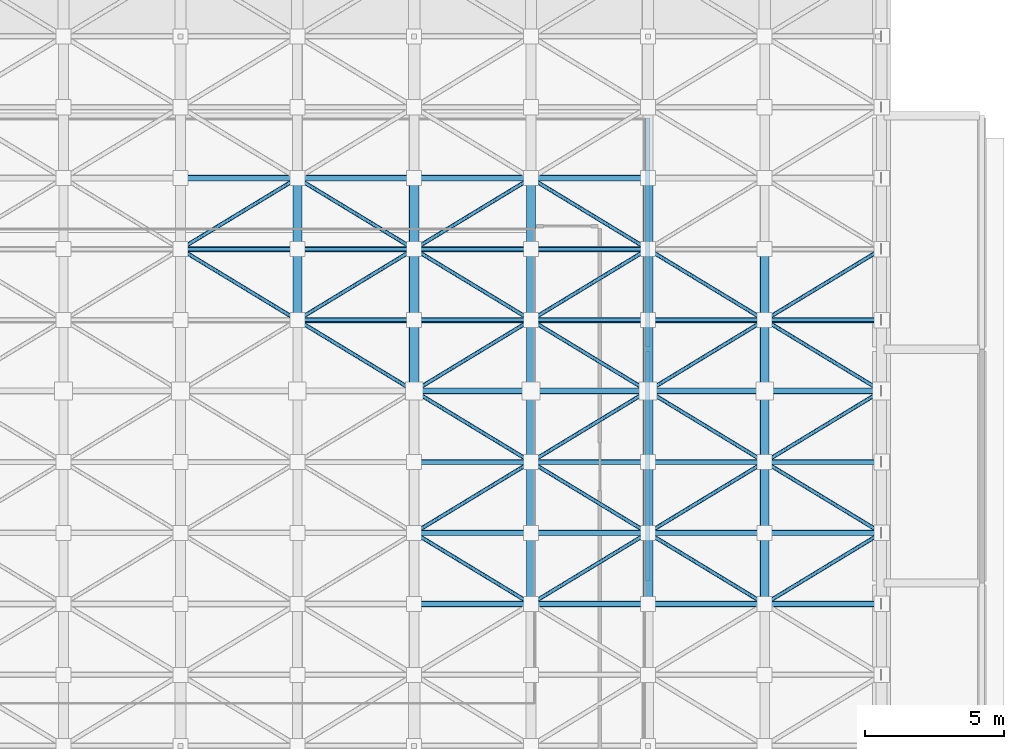
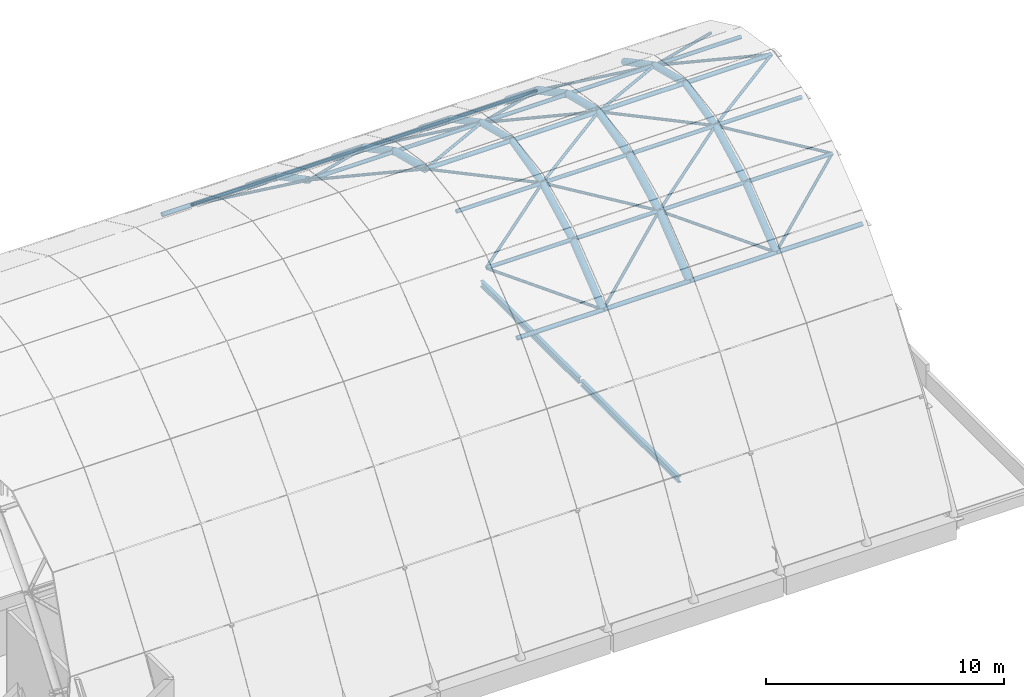
# One storey, part 35 of 128: 69 members, 11 beams.
"""IFC4 building model written with IfcOpenShell, lengths in metres."""

from ifc_helpers import new_model, si_unit, direction, frame, origin, origin_2d, place, context, subcontext, project, spatial, hollow_circle, i_section, extrude, material, material_profile, profile_set, type_object, element, save


model = new_model("IFC4")

# Units and contexts
model_context = context("Model", 3, precision=1e-05, world=origin(), true_north=direction((0.0, 1.0)))
body_context = subcontext(model_context, "Body", "Model", "MODEL_VIEW")
ifc_project = project(units=[si_unit("LENGTHUNIT", "METRE"), si_unit("AREAUNIT", "SQUARE_METRE"), si_unit("VOLUMEUNIT", "CUBIC_METRE"), si_unit("PLANEANGLEUNIT", "RADIAN"), si_unit("MASSUNIT", "GRAM", prefix="KILO")], contexts=[model_context])

# Site, building, storey
site_placement = place(None, origin())
site = spatial("IfcSite", under=ifc_project, at=site_placement, CompositionType="ELEMENT")
building_placement = place(site_placement, origin())
building = spatial("IfcBuilding", under=site, at=building_placement, Name="Telukmera Botanical Conservatory", CompositionType="ELEMENT")
storey_placement = place(building_placement, frame((0.0, 0.0, 5.39990234375)))
storey = spatial("IfcBuildingStorey", under=building, at=storey_placement, Name="L01", CompositionType="ELEMENT", Elevation=5.39990234375)

# Beams
ifc_material = material(Name="Steel S355", Category="steel")
ifc_material_profile_1 = material_profile(ifc_material, hollow_circle(Radius=0.177734375, WallThickness=0.012451171875, at=origin_2d()), Name="CHS 355.6x12.5")
ifc_profile_set_1 = profile_set([ifc_material_profile_1], Name="Steel S355")
beam_type_1 = type_object("IfcBeamType", Name="Beam_GA2", PredefinedType="BEAM", material=ifc_profile_set_1)
beam_1_placement = place(storey_placement, frame((151.199951171875, 32.91943359375, 14.395263671875), z_axis=(0.0, 0.969596662505, -0.244708626858), x_axis=(-1.0, 0.0, 0.0)))
element("IfcBeam", 1, at=beam_1_placement, inside=storey, type_object=beam_type_1, Name="Conservatory Gridshell Primary Arch Rib A08-06", PredefinedType="BEAM", context=body_context, shape_type="SweptSolid", body=[
    extrude(hollow_circle(Radius=0.177734375, WallThickness=0.012451171875, at=origin_2d()), origin(), (0.0, 0.0, 1.0), 2.590087890625),
])
beam_2_placement = place(storey_placement, frame((151.199951171875, 35.4677734375, 13.7470703125), z_axis=(0.0, 0.883608393745, -0.468226661462), x_axis=(-1.0, 0.0, 0.0)))
element("IfcBeam", 2, at=beam_2_placement, inside=storey, type_object=beam_type_1, Name="Conservatory Gridshell Primary Arch Rib A08-07", PredefinedType="BEAM", context=body_context, shape_type="SweptSolid", body=[
    extrude(hollow_circle(Radius=0.177734375, WallThickness=0.012451171875, at=origin_2d()), origin(), (0.0, 0.0, 1.0), 2.845947265625),
])
for number, where, z_axis, x_axis, name in (
    (3, (151.199951171875, 38.015625, 12.392578125), (0.0, 0.77797662105, -0.628293225413), (-1.0, 0.0, 0.0), "Conservatory Gridshell Primary Arch Rib A08-08"),
    (4, (159.60009765625, 25.265625, 10.3583984375), (0.0, 0.77797662105, 0.628293225413), (-1.0, 0.0, 0.0), "Conservatory Gridshell Primary Arch Rib A10-03"),
):
    element("IfcBeam", number, at=place(storey_placement, frame(where, z_axis=z_axis, x_axis=x_axis)), inside=storey, type_object=beam_type_1, Name=name, PredefinedType="BEAM", context=body_context, shape_type="SweptSolid", body=[
        extrude(hollow_circle(Radius=0.177734375, WallThickness=0.012451171875, at=origin_2d()), origin(), (0.0, 0.0, 1.0), 3.237548828125),
    ])
beam_3_placement = place(storey_placement, frame((159.60009765625, 27.817626953125, 12.41455078125), z_axis=(0.0, 0.883608393745, 0.468226661462), x_axis=(-1.0, 0.0, 0.0)))
element("IfcBeam", 5, at=beam_3_placement, inside=storey, type_object=beam_type_1, Name="Conservatory Gridshell Primary Arch Rib A10-04", PredefinedType="BEAM", context=body_context, shape_type="SweptSolid", body=[
    extrude(hollow_circle(Radius=0.177734375, WallThickness=0.012451171875, at=origin_2d()), origin(), (0.0, 0.0, 1.0), 2.845947265625),
])
for number, where, z_axis, x_axis, name in (
    (6, (159.60009765625, 30.369384765625, 13.761474609375), (0.0, 0.969596662505, 0.244708626858), (-1.0, 0.0, 0.0), "Conservatory Gridshell Primary Arch Rib A10-05"),
    (7, (159.60009765625, 32.91943359375, 14.395263671875), (0.0, 0.969596662505, -0.244708626858), (-1.0, 0.0, 0.0), "Conservatory Gridshell Primary Arch Rib A10-06"),
):
    element("IfcBeam", number, at=place(storey_placement, frame(where, z_axis=z_axis, x_axis=x_axis)), inside=storey, type_object=beam_type_1, Name=name, PredefinedType="BEAM", context=body_context, shape_type="SweptSolid", body=[
        extrude(hollow_circle(Radius=0.177734375, WallThickness=0.012451171875, at=origin_2d()), origin(), (0.0, 0.0, 1.0), 2.590087890625),
    ])
beam_4_placement = place(storey_placement, frame((159.60009765625, 35.4677734375, 13.7470703125), z_axis=(0.0, 0.883608393745, -0.468226661462), x_axis=(-1.0, 0.0, 0.0)))
element("IfcBeam", 8, at=beam_4_placement, inside=storey, type_object=beam_type_1, Name="Conservatory Gridshell Primary Arch Rib A10-07", PredefinedType="BEAM", context=body_context, shape_type="SweptSolid", body=[
    extrude(hollow_circle(Radius=0.177734375, WallThickness=0.012451171875, at=origin_2d()), origin(), (0.0, 0.0, 1.0), 2.845947265625),
])
beam_5_placement = place(storey_placement, frame((159.60009765625, 38.015625, 12.392578125), z_axis=(0.0, 0.77797662105, -0.628293225413), x_axis=(-1.0, 0.0, 0.0)))
element("IfcBeam", 9, at=beam_5_placement, inside=storey, type_object=beam_type_1, Name="Conservatory Gridshell Primary Arch Rib A10-08", PredefinedType="BEAM", context=body_context, shape_type="SweptSolid", body=[
    extrude(hollow_circle(Radius=0.177734375, WallThickness=0.012451171875, at=origin_2d()), origin(), (0.0, 0.0, 1.0), 3.237548828125),
])
ifc_material_profile_2 = material_profile(ifc_material, i_section(OverallWidth=0.165771484375, OverallDepth=0.306640625, WebThickness=0.006591796875, FlangeThickness=0.01171875, FilletRadius=0.0087890625, at=origin_2d()), Name="UB 305x165x46")
ifc_profile_set_2 = profile_set([ifc_material_profile_2], Name="Steel S355")
beam_type_2 = type_object("IfcBeamType", Name="Beam_SB6", PredefinedType="JOIST", material=ifc_profile_set_2)
for number, where, z_axis, x_axis, name in (
    (10, (159.60009765625, 26.080078125, -0.353271484375), (0.0, 1.0, 0.0), (-1.0, 0.0, 0.0), "Conservatory Skywalk Bridge Beam"),
    (11, (159.60009765625, 34.47998046875, -0.353271484375), (0.0, 1.0, 0.0), (-1.0, 0.0, 0.0), "Conservatory Skywalk Bridge Beam"),
):
    element("IfcBeam", number, at=place(storey_placement, frame(where, z_axis=z_axis, x_axis=x_axis)), inside=storey, type_object=beam_type_2, Name=name, PredefinedType="JOIST", context=body_context, shape_type="SweptSolid", body=[
        extrude(i_section(OverallWidth=0.165771484375, OverallDepth=0.306640625, WebThickness=0.006591796875, FlangeThickness=0.01171875, FilletRadius=0.0087890625, at=origin_2d()), origin(), (0.0, 0.0, 1.0), 8.239990234375),
    ])

# Members
ifc_material_profile_3 = material_profile(ifc_material, hollow_circle(Radius=0.06982421875, WallThickness=0.00634765625, at=origin_2d()), Name="CHS 139.7x6.3")
ifc_profile_set_3 = profile_set([ifc_material_profile_3], Name="Steel S355")
member_type_1 = type_object("IfcMemberType", Name="Mem_GBX2", PredefinedType="USERDEFINED", material=ifc_profile_set_3)
member_1_placement = place(storey_placement, frame((146.987548828125, 35.45751953125, 13.75244140625), z_axis=(-0.824182486076, 0.50040855815, -0.265168822782), x_axis=(-0.51898726462, -0.854781971711, 0.0)))
element("IfcMember", 12, at=member_1_placement, inside=storey, type_object=member_type_1, Name="Conservatory Gridshell Diagrid Lacing Rib D06-07", ObjectType="GRIDSHELL_RIB", PredefinedType="USERDEFINED", context=body_context, shape_type="SweptSolid", body=[
    extrude(hollow_circle(Radius=0.06982421875, WallThickness=0.00634765625, at=origin_2d()), origin(), (0.0, 0.0, 1.0), 5.065673828125),
])
member_2_placement = place(storey_placement, frame((142.811767578125, 38.007080078125, 12.3994140625), z_axis=(0.788351905241, 0.478624123916, -0.386549119142), x_axis=(-0.518963791177, 0.854796223346, 0.0)))
element("IfcMember", 13, at=member_2_placement, inside=storey, type_object=member_type_1, Name="Conservatory Gridshell Diagrid Lacing Rib D06-08", ObjectType="GRIDSHELL_RIB", PredefinedType="USERDEFINED", context=body_context, shape_type="SweptSolid", body=[
    extrude(hollow_circle(Radius=0.06982421875, WallThickness=0.00634765625, at=origin_2d()), origin(), (0.0, 0.0, 1.0), 5.2978515625),
])
member_3_placement = place(storey_placement, frame((151.187255859375, 32.90771484375, 14.398193359375), z_axis=(-0.84753330536, 0.514596805442, -0.12991314073), x_axis=(-0.518995092501, -0.854777218905, 0.0)))
element("IfcMember", 14, at=member_3_placement, inside=storey, type_object=member_type_1, Name="Conservatory Gridshell Diagrid Lacing Rib D07-06", ObjectType="GRIDSHELL_RIB", PredefinedType="USERDEFINED", context=body_context, shape_type="SweptSolid", body=[
    extrude(hollow_circle(Radius=0.06982421875, WallThickness=0.00634765625, at=origin_2d()), origin(), (0.0, 0.0, 1.0), 4.925537109375),
])
member_4_placement = place(storey_placement, frame((147.012451171875, 35.45751953125, 13.75244140625), z_axis=(0.824182486076, 0.50040855815, -0.265168822782), x_axis=(-0.51898726462, 0.854781971711, 0.0)))
element("IfcMember", 15, at=member_4_placement, inside=storey, type_object=member_type_1, Name="Conservatory Gridshell Diagrid Lacing Rib D07-07", ObjectType="GRIDSHELL_RIB", PredefinedType="USERDEFINED", context=body_context, shape_type="SweptSolid", body=[
    extrude(hollow_circle(Radius=0.06982421875, WallThickness=0.00634765625, at=origin_2d()), origin(), (0.0, 0.0, 1.0), 5.065673828125),
])
member_5_placement = place(storey_placement, frame((151.188232421875, 38.007080078125, 12.3994140625), z_axis=(-0.788351905241, 0.478624123916, -0.386549119142), x_axis=(-0.518963791177, -0.854796223346, 0.0)))
element("IfcMember", 16, at=member_5_placement, inside=storey, type_object=member_type_1, Name="Conservatory Gridshell Diagrid Lacing Rib D07-08", ObjectType="GRIDSHELL_RIB", PredefinedType="USERDEFINED", context=body_context, shape_type="SweptSolid", body=[
    extrude(hollow_circle(Radius=0.06982421875, WallThickness=0.00634765625, at=origin_2d()), origin(), (0.0, 0.0, 1.0), 5.2978515625),
])
member_6_placement = place(storey_placement, frame((155.38818359375, 25.257080078125, 10.3515625), z_axis=(-0.788334461594, 0.478641512809, 0.386563162858), x_axis=(-0.518985958004, -0.854782765031, 0.0)))
element("IfcMember", 17, at=member_6_placement, inside=storey, type_object=member_type_1, Name="Conservatory Gridshell Diagrid Lacing Rib D08-03", ObjectType="GRIDSHELL_RIB", PredefinedType="USERDEFINED", context=body_context, shape_type="SweptSolid", body=[
    extrude(hollow_circle(Radius=0.06982421875, WallThickness=0.00634765625, at=origin_2d()), origin(), (0.0, 0.0, 1.0), 5.297607421875),
])
member_7_placement = place(storey_placement, frame((151.21240234375, 27.8076171875, 12.4091796875), z_axis=(0.824197942407, 0.500388681792, 0.265158290207), x_axis=(-0.518965091298, 0.854795434016, 0.0)))
element("IfcMember", 18, at=member_7_placement, inside=storey, type_object=member_type_1, Name="Conservatory Gridshell Diagrid Lacing Rib D08-04", ObjectType="GRIDSHELL_RIB", PredefinedType="USERDEFINED", context=body_context, shape_type="SweptSolid", body=[
    extrude(hollow_circle(Radius=0.06982421875, WallThickness=0.00634765625, at=origin_2d()), origin(), (0.0, 0.0, 1.0), 5.06591796875),
])
for number, where, z_axis, x_axis, name in (
    (19, (155.38720703125, 30.357666015625, 13.75830078125), (-0.84753330536, 0.514596805442, 0.12991314073), (-0.518995092501, -0.854777218905, 0.0), "Conservatory Gridshell Diagrid Lacing Rib D08-05"),
    (20, (151.212646484375, 32.90771484375, 14.398193359375), (0.84753330536, 0.514596805442, -0.12991314073), (-0.518995092501, 0.854777218905, 0.0), "Conservatory Gridshell Diagrid Lacing Rib D08-06"),
):
    element("IfcMember", number, at=place(storey_placement, frame(where, z_axis=z_axis, x_axis=x_axis)), inside=storey, type_object=member_type_1, Name=name, ObjectType="GRIDSHELL_RIB", PredefinedType="USERDEFINED", context=body_context, shape_type="SweptSolid", body=[
        extrude(hollow_circle(Radius=0.06982421875, WallThickness=0.00634765625, at=origin_2d()), origin(), (0.0, 0.0, 1.0), 4.925537109375),
    ])
member_8_placement = place(storey_placement, frame((155.3876953125, 35.45751953125, 13.75244140625), z_axis=(-0.824197942407, 0.500388681792, -0.265158290207), x_axis=(-0.518965091298, -0.854795434016, 0.0)))
element("IfcMember", 21, at=member_8_placement, inside=storey, type_object=member_type_1, Name="Conservatory Gridshell Diagrid Lacing Rib D08-07", ObjectType="GRIDSHELL_RIB", PredefinedType="USERDEFINED", context=body_context, shape_type="SweptSolid", body=[
    extrude(hollow_circle(Radius=0.06982421875, WallThickness=0.00634765625, at=origin_2d()), origin(), (0.0, 0.0, 1.0), 5.06591796875),
])
for number, where, z_axis, x_axis, name in (
    (22, (151.2119140625, 38.007080078125, 12.3994140625), (0.788334461594, 0.478641512809, -0.386563162858), (-0.518985958004, 0.854782765031, 0.0), "Conservatory Gridshell Diagrid Lacing Rib D08-08"),
    (23, (155.411865234375, 25.257080078125, 10.3515625), (0.788334461594, 0.478641512809, 0.386563162858), (-0.518985958004, 0.854782765031, 0.0), "Conservatory Gridshell Diagrid Lacing Rib D09-03"),
):
    element("IfcMember", number, at=place(storey_placement, frame(where, z_axis=z_axis, x_axis=x_axis)), inside=storey, type_object=member_type_1, Name=name, ObjectType="GRIDSHELL_RIB", PredefinedType="USERDEFINED", context=body_context, shape_type="SweptSolid", body=[
        extrude(hollow_circle(Radius=0.06982421875, WallThickness=0.00634765625, at=origin_2d()), origin(), (0.0, 0.0, 1.0), 5.297607421875),
    ])
member_9_placement = place(storey_placement, frame((159.587646484375, 27.8076171875, 12.4091796875), z_axis=(-0.824197942407, 0.500388681792, 0.265158290207), x_axis=(-0.518965091298, -0.854795434016, 0.0)))
element("IfcMember", 24, at=member_9_placement, inside=storey, type_object=member_type_1, Name="Conservatory Gridshell Diagrid Lacing Rib D09-04", ObjectType="GRIDSHELL_RIB", PredefinedType="USERDEFINED", context=body_context, shape_type="SweptSolid", body=[
    extrude(hollow_circle(Radius=0.06982421875, WallThickness=0.00634765625, at=origin_2d()), origin(), (0.0, 0.0, 1.0), 5.06591796875),
])
for number, where, z_axis, x_axis, name in (
    (25, (155.41259765625, 30.357666015625, 13.75830078125), (0.847547266663, 0.51457518845, 0.129907683387), (-0.518972916498, 0.854790683116, 0.0), "Conservatory Gridshell Diagrid Lacing Rib D09-05"),
    (26, (159.58740234375, 32.90771484375, 14.398193359375), (-0.847547266663, 0.51457518845, -0.129907683387), (-0.518972916498, -0.854790683116, 0.0), "Conservatory Gridshell Diagrid Lacing Rib D09-06"),
):
    element("IfcMember", number, at=place(storey_placement, frame(where, z_axis=z_axis, x_axis=x_axis)), inside=storey, type_object=member_type_1, Name=name, ObjectType="GRIDSHELL_RIB", PredefinedType="USERDEFINED", context=body_context, shape_type="SweptSolid", body=[
        extrude(hollow_circle(Radius=0.06982421875, WallThickness=0.00634765625, at=origin_2d()), origin(), (0.0, 0.0, 1.0), 4.92578125),
    ])
member_10_placement = place(storey_placement, frame((155.412353515625, 35.45751953125, 13.75244140625), z_axis=(0.824197942407, 0.500388681792, -0.265158290207), x_axis=(-0.518965091298, 0.854795434016, 0.0)))
element("IfcMember", 27, at=member_10_placement, inside=storey, type_object=member_type_1, Name="Conservatory Gridshell Diagrid Lacing Rib D09-07", ObjectType="GRIDSHELL_RIB", PredefinedType="USERDEFINED", context=body_context, shape_type="SweptSolid", body=[
    extrude(hollow_circle(Radius=0.06982421875, WallThickness=0.00634765625, at=origin_2d()), origin(), (0.0, 0.0, 1.0), 5.06591796875),
])
for number, where, z_axis, x_axis, name in (
    (28, (159.588134765625, 38.007080078125, 12.3994140625), (-0.788334461594, 0.478641512809, -0.386563162858), (-0.518985958004, -0.854782765031, 0.0), "Conservatory Gridshell Diagrid Lacing Rib D09-08"),
    (29, (163.7880859375, 25.257080078125, 10.3515625), (-0.788334461594, 0.478641512809, 0.386563162858), (-0.518985958004, -0.854782765031, 0.0), "Conservatory Gridshell Diagrid Lacing Rib D10-03"),
):
    element("IfcMember", number, at=place(storey_placement, frame(where, z_axis=z_axis, x_axis=x_axis)), inside=storey, type_object=member_type_1, Name=name, ObjectType="GRIDSHELL_RIB", PredefinedType="USERDEFINED", context=body_context, shape_type="SweptSolid", body=[
        extrude(hollow_circle(Radius=0.06982421875, WallThickness=0.00634765625, at=origin_2d()), origin(), (0.0, 0.0, 1.0), 5.297607421875),
    ])
member_11_placement = place(storey_placement, frame((159.6123046875, 27.8076171875, 12.4091796875), z_axis=(0.824197942407, 0.500388681792, 0.265158290207), x_axis=(-0.518965091298, 0.854795434016, 0.0)))
element("IfcMember", 30, at=member_11_placement, inside=storey, type_object=member_type_1, Name="Conservatory Gridshell Diagrid Lacing Rib D10-04", ObjectType="GRIDSHELL_RIB", PredefinedType="USERDEFINED", context=body_context, shape_type="SweptSolid", body=[
    extrude(hollow_circle(Radius=0.06982421875, WallThickness=0.00634765625, at=origin_2d()), origin(), (0.0, 0.0, 1.0), 5.06591796875),
])
for number, where, z_axis, x_axis, name in (
    (31, (163.787353515625, 30.357666015625, 13.75830078125), (-0.84753330536, 0.514596805442, 0.12991314073), (-0.518995092501, -0.854777218905, 0.0), "Conservatory Gridshell Diagrid Lacing Rib D10-05"),
    (32, (159.61279296875, 32.90771484375, 14.398193359375), (0.84753330536, 0.514596805442, -0.12991314073), (-0.518995092501, 0.854777218905, 0.0), "Conservatory Gridshell Diagrid Lacing Rib D10-06"),
):
    element("IfcMember", number, at=place(storey_placement, frame(where, z_axis=z_axis, x_axis=x_axis)), inside=storey, type_object=member_type_1, Name=name, ObjectType="GRIDSHELL_RIB", PredefinedType="USERDEFINED", context=body_context, shape_type="SweptSolid", body=[
        extrude(hollow_circle(Radius=0.06982421875, WallThickness=0.00634765625, at=origin_2d()), origin(), (0.0, 0.0, 1.0), 4.925537109375),
    ])
member_12_placement = place(storey_placement, frame((163.78759765625, 35.45751953125, 13.75244140625), z_axis=(-0.824197942407, 0.500388681792, -0.265158290207), x_axis=(-0.518965091298, -0.854795434016, 0.0)))
element("IfcMember", 33, at=member_12_placement, inside=storey, type_object=member_type_1, Name="Conservatory Gridshell Diagrid Lacing Rib D10-07", ObjectType="GRIDSHELL_RIB", PredefinedType="USERDEFINED", context=body_context, shape_type="SweptSolid", body=[
    extrude(hollow_circle(Radius=0.06982421875, WallThickness=0.00634765625, at=origin_2d()), origin(), (0.0, 0.0, 1.0), 5.06591796875),
])
member_13_placement = place(storey_placement, frame((163.811767578125, 25.257080078125, 10.3515625), z_axis=(0.788351905241, 0.478624123916, 0.386549119142), x_axis=(-0.518963791177, 0.854796223346, 0.0)))
element("IfcMember", 34, at=member_13_placement, inside=storey, type_object=member_type_1, Name="Conservatory Gridshell Diagrid Lacing Rib D11-03", ObjectType="GRIDSHELL_RIB", PredefinedType="USERDEFINED", context=body_context, shape_type="SweptSolid", body=[
    extrude(hollow_circle(Radius=0.06982421875, WallThickness=0.00634765625, at=origin_2d()), origin(), (0.0, 0.0, 1.0), 5.2978515625),
])
member_14_placement = place(storey_placement, frame((167.987548828125, 27.8076171875, 12.4091796875), z_axis=(-0.824182486076, 0.50040855815, 0.265168822782), x_axis=(-0.51898726462, -0.854781971711, 0.0)))
element("IfcMember", 35, at=member_14_placement, inside=storey, type_object=member_type_1, Name="Conservatory Gridshell Diagrid Lacing Rib D11-04", ObjectType="GRIDSHELL_RIB", PredefinedType="USERDEFINED", context=body_context, shape_type="SweptSolid", body=[
    extrude(hollow_circle(Radius=0.06982421875, WallThickness=0.00634765625, at=origin_2d()), origin(), (0.0, 0.0, 1.0), 5.065673828125),
])
for number, where, z_axis, x_axis, name in (
    (36, (163.812744140625, 30.357666015625, 13.75830078125), (0.84753330536, 0.514596805442, 0.12991314073), (-0.518995092501, 0.854777218905, 0.0), "Conservatory Gridshell Diagrid Lacing Rib D11-05"),
    (37, (167.9873046875, 32.90771484375, 14.398193359375), (-0.84753330536, 0.514596805442, -0.12991314073), (-0.518995092501, -0.854777218905, 0.0), "Conservatory Gridshell Diagrid Lacing Rib D11-06"),
):
    element("IfcMember", number, at=place(storey_placement, frame(where, z_axis=z_axis, x_axis=x_axis)), inside=storey, type_object=member_type_1, Name=name, ObjectType="GRIDSHELL_RIB", PredefinedType="USERDEFINED", context=body_context, shape_type="SweptSolid", body=[
        extrude(hollow_circle(Radius=0.06982421875, WallThickness=0.00634765625, at=origin_2d()), origin(), (0.0, 0.0, 1.0), 4.925537109375),
    ])
member_15_placement = place(storey_placement, frame((163.8125, 35.45751953125, 13.75244140625), z_axis=(0.824182486076, 0.50040855815, -0.265168822782), x_axis=(-0.51898726462, 0.854781971711, 0.0)))
element("IfcMember", 38, at=member_15_placement, inside=storey, type_object=member_type_1, Name="Conservatory Gridshell Diagrid Lacing Rib D11-07", ObjectType="GRIDSHELL_RIB", PredefinedType="USERDEFINED", context=body_context, shape_type="SweptSolid", body=[
    extrude(hollow_circle(Radius=0.06982421875, WallThickness=0.00634765625, at=origin_2d()), origin(), (0.0, 0.0, 1.0), 5.065673828125),
])
ifc_material_profile_4 = material_profile(ifc_material, hollow_circle(Radius=0.161865234375, WallThickness=0.012451171875, at=origin_2d()), Name="CHS 323.9x12.5")
ifc_profile_set_4 = profile_set([ifc_material_profile_4], Name="Steel S355")
member_type_2 = type_object("IfcMemberType", Name="Mem_GM3", PredefinedType="USERDEFINED", material=ifc_profile_set_4)
member_16_placement = place(storey_placement, frame((147.0, 35.4677734375, 13.7470703125), z_axis=(0.0, 0.883608393745, -0.468226661462), x_axis=(-1.0, 0.0, 0.0)))
element("IfcMember", 39, at=member_16_placement, inside=storey, type_object=member_type_2, Name="Conservatory Gridshell Arch Segment A07-07", ObjectType="ARCH_SEGMENT", PredefinedType="USERDEFINED", context=body_context, shape_type="SweptSolid", body=[
    extrude(hollow_circle(Radius=0.161865234375, WallThickness=0.012451171875, at=origin_2d()), origin(), (0.0, 0.0, 1.0), 2.845947265625),
])
for number, where, z_axis, x_axis, name in (
    (40, (147.0, 38.015625, 12.392578125), (0.0, 0.77797662105, -0.628293225413), (-1.0, 0.0, 0.0), "Conservatory Gridshell Arch Segment A07-08"),
    (41, (155.39990234375, 25.265625, 10.3583984375), (0.0, 0.77797662105, 0.628293225413), (-1.0, 0.0, 0.0), "Conservatory Gridshell Arch Segment A09-03"),
):
    element("IfcMember", number, at=place(storey_placement, frame(where, z_axis=z_axis, x_axis=x_axis)), inside=storey, type_object=member_type_2, Name=name, ObjectType="ARCH_SEGMENT", PredefinedType="USERDEFINED", context=body_context, shape_type="SweptSolid", body=[
        extrude(hollow_circle(Radius=0.161865234375, WallThickness=0.012451171875, at=origin_2d()), origin(), (0.0, 0.0, 1.0), 3.237548828125),
    ])
member_17_placement = place(storey_placement, frame((155.39990234375, 27.817626953125, 12.41455078125), z_axis=(0.0, 0.883608393745, 0.468226661462), x_axis=(-1.0, 0.0, 0.0)))
element("IfcMember", 42, at=member_17_placement, inside=storey, type_object=member_type_2, Name="Conservatory Gridshell Arch Segment A09-04", ObjectType="ARCH_SEGMENT", PredefinedType="USERDEFINED", context=body_context, shape_type="SweptSolid", body=[
    extrude(hollow_circle(Radius=0.161865234375, WallThickness=0.012451171875, at=origin_2d()), origin(), (0.0, 0.0, 1.0), 2.845947265625),
])
for number, where, z_axis, x_axis, name in (
    (43, (155.39990234375, 30.369384765625, 13.761474609375), (0.0, 0.969596662505, 0.244708626858), (-1.0, 0.0, 0.0), "Conservatory Gridshell Arch Segment A09-05"),
    (44, (155.39990234375, 32.91943359375, 14.395263671875), (0.0, 0.969596662505, -0.244708626858), (-1.0, 0.0, 0.0), "Conservatory Gridshell Arch Segment A09-06"),
):
    element("IfcMember", number, at=place(storey_placement, frame(where, z_axis=z_axis, x_axis=x_axis)), inside=storey, type_object=member_type_2, Name=name, ObjectType="ARCH_SEGMENT", PredefinedType="USERDEFINED", context=body_context, shape_type="SweptSolid", body=[
        extrude(hollow_circle(Radius=0.161865234375, WallThickness=0.012451171875, at=origin_2d()), origin(), (0.0, 0.0, 1.0), 2.590087890625),
    ])
member_18_placement = place(storey_placement, frame((155.39990234375, 35.4677734375, 13.7470703125), z_axis=(0.0, 0.883608393745, -0.468226661462), x_axis=(-1.0, 0.0, 0.0)))
element("IfcMember", 45, at=member_18_placement, inside=storey, type_object=member_type_2, Name="Conservatory Gridshell Arch Segment A09-07", ObjectType="ARCH_SEGMENT", PredefinedType="USERDEFINED", context=body_context, shape_type="SweptSolid", body=[
    extrude(hollow_circle(Radius=0.161865234375, WallThickness=0.012451171875, at=origin_2d()), origin(), (0.0, 0.0, 1.0), 2.845947265625),
])
for number, where, z_axis, x_axis, name in (
    (46, (155.39990234375, 38.015625, 12.392578125), (0.0, 0.77797662105, -0.628293225413), (-1.0, 0.0, 0.0), "Conservatory Gridshell Arch Segment A09-08"),
    (47, (163.800048828125, 25.265625, 10.3583984375), (0.0, 0.77797662105, 0.628293225413), (-1.0, 0.0, 0.0), "Conservatory Gridshell Arch Segment A11-03"),
):
    element("IfcMember", number, at=place(storey_placement, frame(where, z_axis=z_axis, x_axis=x_axis)), inside=storey, type_object=member_type_2, Name=name, ObjectType="ARCH_SEGMENT", PredefinedType="USERDEFINED", context=body_context, shape_type="SweptSolid", body=[
        extrude(hollow_circle(Radius=0.161865234375, WallThickness=0.012451171875, at=origin_2d()), origin(), (0.0, 0.0, 1.0), 3.237548828125),
    ])
member_19_placement = place(storey_placement, frame((163.800048828125, 27.817626953125, 12.41455078125), z_axis=(0.0, 0.883608393745, 0.468226661462), x_axis=(-1.0, 0.0, 0.0)))
element("IfcMember", 48, at=member_19_placement, inside=storey, type_object=member_type_2, Name="Conservatory Gridshell Arch Segment A11-04", ObjectType="ARCH_SEGMENT", PredefinedType="USERDEFINED", context=body_context, shape_type="SweptSolid", body=[
    extrude(hollow_circle(Radius=0.161865234375, WallThickness=0.012451171875, at=origin_2d()), origin(), (0.0, 0.0, 1.0), 2.845947265625),
])
for number, where, z_axis, x_axis, name in (
    (49, (163.800048828125, 30.369384765625, 13.761474609375), (0.0, 0.969596662505, 0.244708626858), (-1.0, 0.0, 0.0), "Conservatory Gridshell Arch Segment A11-05"),
    (50, (163.800048828125, 32.91943359375, 14.395263671875), (0.0, 0.969596662505, -0.244708626858), (-1.0, 0.0, 0.0), "Conservatory Gridshell Arch Segment A11-06"),
):
    element("IfcMember", number, at=place(storey_placement, frame(where, z_axis=z_axis, x_axis=x_axis)), inside=storey, type_object=member_type_2, Name=name, ObjectType="ARCH_SEGMENT", PredefinedType="USERDEFINED", context=body_context, shape_type="SweptSolid", body=[
        extrude(hollow_circle(Radius=0.161865234375, WallThickness=0.012451171875, at=origin_2d()), origin(), (0.0, 0.0, 1.0), 2.590087890625),
    ])
member_20_placement = place(storey_placement, frame((163.800048828125, 35.4677734375, 13.7470703125), z_axis=(0.0, 0.883608393745, -0.468226661462), x_axis=(-1.0, 0.0, 0.0)))
element("IfcMember", 51, at=member_20_placement, inside=storey, type_object=member_type_2, Name="Conservatory Gridshell Arch Segment A11-07", ObjectType="ARCH_SEGMENT", PredefinedType="USERDEFINED", context=body_context, shape_type="SweptSolid", body=[
    extrude(hollow_circle(Radius=0.161865234375, WallThickness=0.012451171875, at=origin_2d()), origin(), (0.0, 0.0, 1.0), 2.845947265625),
])
ifc_material_profile_5 = material_profile(ifc_material, hollow_circle(Radius=0.109619140625, WallThickness=0.010009765625, at=origin_2d()), Name="CHS 219.1x10.0")
ifc_profile_set_5 = profile_set([ifc_material_profile_5], Name="Steel S355")
member_type_3 = type_object("IfcMemberType", Name="Mem_GP1", PredefinedType="PURLIN", material=ifc_profile_set_5)
for number, where, z_axis, x_axis, name in (
    (52, (142.820068359375, 40.550048828125, 10.345703125), (1.0, 0.0, 0.0), (0.0, 1.0, 0.0), "Conservatory Gridshell Longitudinal Rib P06-09"),
    (53, (147.02001953125, 40.550048828125, 10.345703125), (1.0, 0.0, 0.0), (0.0, 1.0, 0.0), "Conservatory Gridshell Longitudinal Rib P07-09"),
    (54, (151.219970703125, 25.25, 10.345703125), (1.0, 0.0, 0.0), (0.0, 1.0, 0.0), "Conservatory Gridshell Longitudinal Rib P08-03"),
    (55, (151.219970703125, 32.89990234375, 14.400146484375), (1.0, 0.0, 0.0), (0.0, 1.0, 0.0), "Conservatory Gridshell Longitudinal Rib P08-06"),
    (56, (151.219970703125, 40.550048828125, 10.345703125), (1.0, 0.0, 0.0), (0.0, 1.0, 0.0), "Conservatory Gridshell Longitudinal Rib P08-09"),
):
    element("IfcMember", number, at=place(storey_placement, frame(where, z_axis=z_axis, x_axis=x_axis)), inside=storey, type_object=member_type_3, Name=name, PredefinedType="PURLIN", context=body_context, shape_type="SweptSolid", body=[
        extrude(hollow_circle(Radius=0.109619140625, WallThickness=0.010009765625, at=origin_2d()), origin(), (0.0, 0.0, 1.0), 4.159912109375),
    ])
for number, where, z_axis, x_axis, name in (
    (57, (155.419921875, 25.25, 10.345703125), (1.0, 0.0, 0.0), (0.0, 1.0, 0.0), "Conservatory Gridshell Longitudinal Rib P09-03"),
    (58, (155.419921875, 32.89990234375, 14.400146484375), (1.0, 0.0, 0.0), (0.0, 1.0, 0.0), "Conservatory Gridshell Longitudinal Rib P09-06"),
    (59, (155.419921875, 40.550048828125, 10.345703125), (1.0, 0.0, 0.0), (0.0, 1.0, 0.0), "Conservatory Gridshell Longitudinal Rib P09-09"),
):
    element("IfcMember", number, at=place(storey_placement, frame(where, z_axis=z_axis, x_axis=x_axis)), inside=storey, type_object=member_type_3, Name=name, PredefinedType="PURLIN", context=body_context, shape_type="SweptSolid", body=[
        extrude(hollow_circle(Radius=0.109619140625, WallThickness=0.010009765625, at=origin_2d()), origin(), (0.0, 0.0, 1.0), 4.16015625),
    ])
for number, where, z_axis, x_axis, name in (
    (60, (159.6201171875, 25.25, 10.345703125), (1.0, 0.0, 0.0), (0.0, 1.0, 0.0), "Conservatory Gridshell Longitudinal Rib P10-03"),
    (61, (159.6201171875, 32.89990234375, 14.400146484375), (1.0, 0.0, 0.0), (0.0, 1.0, 0.0), "Conservatory Gridshell Longitudinal Rib P10-06"),
    (62, (163.820068359375, 25.25, 10.345703125), (1.0, 0.0, 0.0), (0.0, 1.0, 0.0), "Conservatory Gridshell Longitudinal Rib P11-03"),
    (63, (163.820068359375, 32.89990234375, 14.400146484375), (1.0, 0.0, 0.0), (0.0, 1.0, 0.0), "Conservatory Gridshell Longitudinal Rib P11-06"),
):
    element("IfcMember", number, at=place(storey_placement, frame(where, z_axis=z_axis, x_axis=x_axis)), inside=storey, type_object=member_type_3, Name=name, PredefinedType="PURLIN", context=body_context, shape_type="SweptSolid", body=[
        extrude(hollow_circle(Radius=0.109619140625, WallThickness=0.010009765625, at=origin_2d()), origin(), (0.0, 0.0, 1.0), 4.159912109375),
    ])
ifc_material_profile_6 = material_profile(ifc_material, hollow_circle(Radius=0.096923828125, WallThickness=0.008056640625, at=origin_2d()), Name="CHS 193.7x8.0")
ifc_profile_set_6 = profile_set([ifc_material_profile_6], Name="Steel S355")
member_type_4 = type_object("IfcMemberType", Name="Mem_GP2", PredefinedType="PURLIN", material=ifc_profile_set_6)
for number, where, z_axis, x_axis, name in (
    (64, (142.820068359375, 38.0, 12.405029296875), (1.0, 0.0, 0.0), (0.0, 1.0, 0.0), "Conservatory Gridshell Longitudinal Rib P06-08"),
    (65, (147.02001953125, 35.449951171875, 13.756591796875), (1.0, 0.0, 0.0), (0.0, 1.0, 0.0), "Conservatory Gridshell Longitudinal Rib P07-07"),
    (66, (147.02001953125, 38.0, 12.405029296875), (1.0, 0.0, 0.0), (0.0, 1.0, 0.0), "Conservatory Gridshell Longitudinal Rib P07-08"),
    (67, (151.219970703125, 27.800048828125, 12.405029296875), (1.0, 0.0, 0.0), (0.0, 1.0, 0.0), "Conservatory Gridshell Longitudinal Rib P08-04"),
    (68, (151.219970703125, 30.35009765625, 13.756591796875), (1.0, 0.0, 0.0), (0.0, 1.0, 0.0), "Conservatory Gridshell Longitudinal Rib P08-05"),
    (69, (151.219970703125, 35.449951171875, 13.756591796875), (1.0, 0.0, 0.0), (0.0, 1.0, 0.0), "Conservatory Gridshell Longitudinal Rib P08-07"),
    (70, (151.219970703125, 38.0, 12.405029296875), (1.0, 0.0, 0.0), (0.0, 1.0, 0.0), "Conservatory Gridshell Longitudinal Rib P08-08"),
):
    element("IfcMember", number, at=place(storey_placement, frame(where, z_axis=z_axis, x_axis=x_axis)), inside=storey, type_object=member_type_4, Name=name, PredefinedType="PURLIN", context=body_context, shape_type="SweptSolid", body=[
        extrude(hollow_circle(Radius=0.096923828125, WallThickness=0.008056640625, at=origin_2d()), origin(), (0.0, 0.0, 1.0), 4.159912109375),
    ])
for number, where, z_axis, x_axis, name in (
    (71, (155.419921875, 27.800048828125, 12.405029296875), (1.0, 0.0, 0.0), (0.0, 1.0, 0.0), "Conservatory Gridshell Longitudinal Rib P09-04"),
    (72, (155.419921875, 30.35009765625, 13.756591796875), (1.0, 0.0, 0.0), (0.0, 1.0, 0.0), "Conservatory Gridshell Longitudinal Rib P09-05"),
    (73, (155.419921875, 35.449951171875, 13.756591796875), (1.0, 0.0, 0.0), (0.0, 1.0, 0.0), "Conservatory Gridshell Longitudinal Rib P09-07"),
    (74, (155.419921875, 38.0, 12.405029296875), (1.0, 0.0, 0.0), (0.0, 1.0, 0.0), "Conservatory Gridshell Longitudinal Rib P09-08"),
):
    element("IfcMember", number, at=place(storey_placement, frame(where, z_axis=z_axis, x_axis=x_axis)), inside=storey, type_object=member_type_4, Name=name, PredefinedType="PURLIN", context=body_context, shape_type="SweptSolid", body=[
        extrude(hollow_circle(Radius=0.096923828125, WallThickness=0.008056640625, at=origin_2d()), origin(), (0.0, 0.0, 1.0), 4.16015625),
    ])
for number, where, z_axis, x_axis, name in (
    (75, (159.6201171875, 27.800048828125, 12.405029296875), (1.0, 0.0, 0.0), (0.0, 1.0, 0.0), "Conservatory Gridshell Longitudinal Rib P10-04"),
    (76, (159.6201171875, 30.35009765625, 13.756591796875), (1.0, 0.0, 0.0), (0.0, 1.0, 0.0), "Conservatory Gridshell Longitudinal Rib P10-05"),
    (77, (159.6201171875, 35.449951171875, 13.756591796875), (1.0, 0.0, 0.0), (0.0, 1.0, 0.0), "Conservatory Gridshell Longitudinal Rib P10-07"),
    (78, (163.820068359375, 27.800048828125, 12.405029296875), (1.0, 0.0, 0.0), (0.0, 1.0, 0.0), "Conservatory Gridshell Longitudinal Rib P11-04"),
    (79, (163.820068359375, 30.35009765625, 13.756591796875), (1.0, 0.0, 0.0), (0.0, 1.0, 0.0), "Conservatory Gridshell Longitudinal Rib P11-05"),
    (80, (163.820068359375, 35.449951171875, 13.756591796875), (1.0, 0.0, 0.0), (0.0, 1.0, 0.0), "Conservatory Gridshell Longitudinal Rib P11-07"),
):
    element("IfcMember", number, at=place(storey_placement, frame(where, z_axis=z_axis, x_axis=x_axis)), inside=storey, type_object=member_type_4, Name=name, PredefinedType="PURLIN", context=body_context, shape_type="SweptSolid", body=[
        extrude(hollow_circle(Radius=0.096923828125, WallThickness=0.008056640625, at=origin_2d()), origin(), (0.0, 0.0, 1.0), 4.159912109375),
    ])

save(model, "model.ifc")
